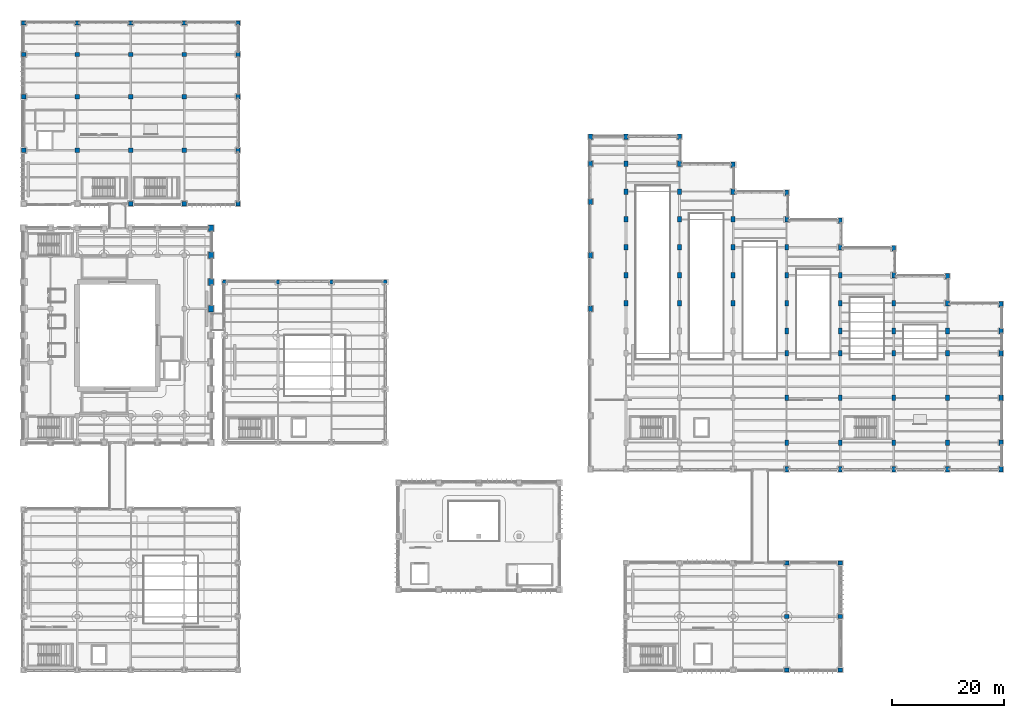
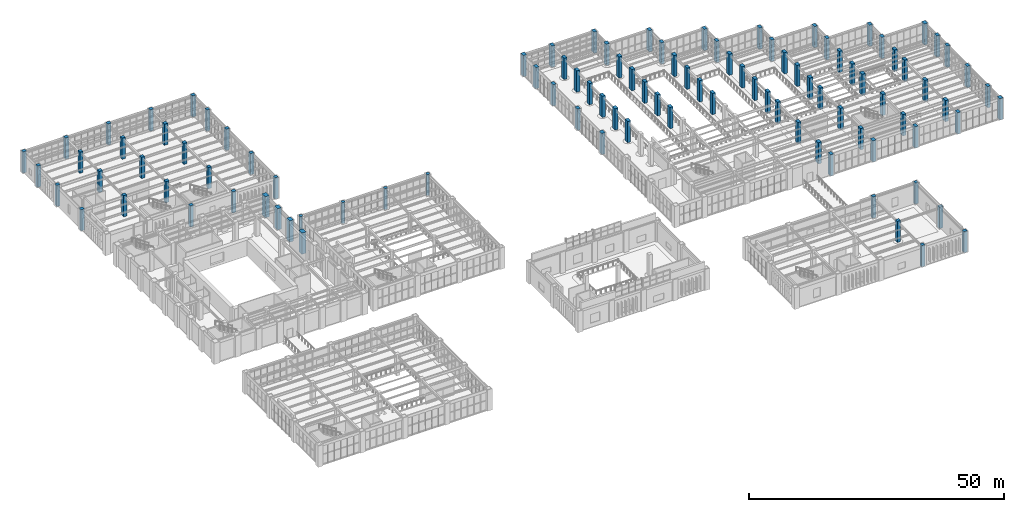
# One storey, part 3 of 174: 102 columns.
"""IFC4 building model written with IfcOpenShell, lengths in metres."""

from ifc_helpers import new_model, si_unit, direction, frame, origin, origin_2d, place, context, subcontext, project, spatial, rectangle, circle, extrude, material, material_profile, profile_set, type_object, element, save


model = new_model("IFC4")

# Units and contexts
model_context = context("Model", 3, precision=1e-05, world=origin(), true_north=direction((0.0, 1.0)))
body_context = subcontext(model_context, "Body", "Model", "MODEL_VIEW")
ifc_project = project(units=[si_unit("LENGTHUNIT", "METRE"), si_unit("AREAUNIT", "SQUARE_METRE"), si_unit("VOLUMEUNIT", "CUBIC_METRE"), si_unit("PLANEANGLEUNIT", "RADIAN"), si_unit("MASSUNIT", "GRAM", prefix="KILO")], contexts=[model_context])

# Site, building, storey
site_placement = place(None, origin())
site = spatial("IfcSite", under=ifc_project, at=site_placement, CompositionType="ELEMENT")
building_placement = place(site_placement, origin())
building = spatial("IfcBuilding", under=site, at=building_placement, Name="Mavantir Sound Aquarium", CompositionType="ELEMENT")
storey_placement = place(building_placement, frame((0.0, 0.0, 5.39990234375)))
storey = spatial("IfcBuildingStorey", under=building, at=storey_placement, Name="L01", CompositionType="ELEMENT", Elevation=5.39990234375)

# Columns
ifc_material = material(Name="Concrete C40/50", Category="concrete")
ifc_material_profile_1 = material_profile(ifc_material, rectangle(XDim=0.699951171875, YDim=1.0, at=origin_2d()), Name="RC 700X1000")
ifc_profile_set_1 = profile_set([ifc_material_profile_1], Name="Concrete C40/50")
column_type_1 = type_object("IfcColumnType", Name="COL-RC700X1000-E", PredefinedType="COLUMN", material=ifc_profile_set_1)
for number, where, z_axis, x_axis, name in (
    (1, (175.199951171875, 36.0, 0.0), (0.0, 0.0, 1.0), (1.0, 0.0, 0.0), "L01 column RC-C710 (V4)"),
    (2, (175.199951171875, 40.800048828125, 0.0), (0.0, 0.0, 1.0), (1.0, 0.0, 0.0), "L01 column RC-C710 (V4)"),
    (3, (175.199951171875, 48.800048828125, 0.0), (0.0, 0.0, 1.0), (1.0, 0.0, 0.0), "L01 column RC-C710 (V4)"),
    (4, (175.199951171875, 56.800048828125, 0.0), (0.0, 0.0, 1.0), (1.0, 0.0, 0.0), "L01 column RC-C710 (V4)"),
    (5, (175.199951171875, 60.800048828125, 0.0), (0.0, 0.0, 1.0), (1.0, 0.0, 0.0), "L01 column RC-C710 (V4)"),
    (6, (175.199951171875, 65.60009765625, 0.0), (0.0, 0.0, 1.0), (1.0, 0.0, 0.0), "L01 column RC-C710 (V4)"),
):
    element("IfcColumn", number, at=place(storey_placement, frame(where, z_axis=z_axis, x_axis=x_axis)), inside=storey, type_object=column_type_1, Name=name, PredefinedType="COLUMN", context=body_context, shape_type="SweptSolid", body=[
        extrude(rectangle(XDim=0.699951171875, YDim=1.0, at=origin_2d()), origin(), (0.0, 0.0, 1.0), 5.10009765625),
    ])
ifc_material_profile_2 = material_profile(ifc_material, rectangle(XDim=0.699951171875, YDim=1.0, at=origin_2d()), Name="RC 700X1000")
ifc_profile_set_2 = profile_set([ifc_material_profile_2], Name="Concrete C40/50")
column_type_2 = type_object("IfcColumnType", Name="COL-RC700X1000-I", PredefinedType="COLUMN", material=ifc_profile_set_2)
for number, where, z_axis, x_axis, name in (
    (7, (101.60009765625, 64.800048828125, 0.0), (0.0, 0.0, 1.0), (1.0, 0.0, 0.0), "L01 column RC-C710 (V4)"),
    (8, (101.60009765625, 74.39990234375, 0.0), (0.0, 0.0, 1.0), (1.0, 0.0, 0.0), "L01 column RC-C710 (V4)"),
    (9, (101.60009765625, 84.0, 0.0), (0.0, 0.0, 1.0), (1.0, 0.0, 0.0), "L01 column RC-C710 (V4)"),
    (10, (101.60009765625, 90.800048828125, 0.0), (0.0, 0.0, 1.0), (1.0, 0.0, 0.0), "L01 column RC-C710 (V4)"),
    (11, (101.60009765625, 95.60009765625, 0.0), (0.0, 0.0, 1.0), (1.0, 0.0, 0.0), "L01 column RC-C710 (V4)"),
    (12, (108.0, 65.800048828125, 0.0), (0.0, 0.0, 1.0), (1.0, 0.0, 0.0), "L01 column RC-C710 (V4)"),
    (13, (108.0, 70.800048828125, 0.0), (0.0, 0.0, 1.0), (1.0, 0.0, 0.0), "L01 column RC-C710 (V4)"),
    (14, (108.0, 75.800048828125, 0.0), (0.0, 0.0, 1.0), (1.0, 0.0, 0.0), "L01 column RC-C710 (V4)"),
    (15, (108.0, 80.800048828125, 0.0), (0.0, 0.0, 1.0), (1.0, 0.0, 0.0), "L01 column RC-C710 (V4)"),
    (16, (108.0, 85.800048828125, 0.0), (0.0, 0.0, 1.0), (1.0, 0.0, 0.0), "L01 column RC-C710 (V4)"),
    (17, (108.0, 90.800048828125, 0.0), (0.0, 0.0, 1.0), (1.0, 0.0, 0.0), "L01 column RC-C710 (V4)"),
    (18, (108.0, 95.60009765625, 0.0), (0.0, 0.0, 1.0), (1.0, 0.0, 0.0), "L01 column RC-C710 (V4)"),
    (19, (117.60009765625, 65.800048828125, 0.0), (0.0, 0.0, 1.0), (1.0, 0.0, 0.0), "L01 column RC-C710 (V4)"),
    (20, (117.60009765625, 70.800048828125, 0.0), (0.0, 0.0, 1.0), (1.0, 0.0, 0.0), "L01 column RC-C710 (V4)"),
    (21, (117.60009765625, 75.800048828125, 0.0), (0.0, 0.0, 1.0), (1.0, 0.0, 0.0), "L01 column RC-C710 (V4)"),
    (22, (117.60009765625, 80.800048828125, 0.0), (0.0, 0.0, 1.0), (1.0, 0.0, 0.0), "L01 column RC-C710 (V4)"),
    (23, (117.60009765625, 85.800048828125, 0.0), (0.0, 0.0, 1.0), (1.0, 0.0, 0.0), "L01 column RC-C710 (V4)"),
    (24, (117.60009765625, 90.800048828125, 0.0), (0.0, 0.0, 1.0), (1.0, 0.0, 0.0), "L01 column RC-C710 (V4)"),
    (25, (117.60009765625, 95.60009765625, 0.0), (0.0, 0.0, 1.0), (1.0, 0.0, 0.0), "L01 column RC-C710 (V4)"),
    (26, (127.199951171875, 65.800048828125, 0.0), (0.0, 0.0, 1.0), (1.0, 0.0, 0.0), "L01 column RC-C710 (V4)"),
    (27, (127.199951171875, 70.800048828125, 0.0), (0.0, 0.0, 1.0), (1.0, 0.0, 0.0), "L01 column RC-C710 (V4)"),
    (28, (127.199951171875, 75.800048828125, 0.0), (0.0, 0.0, 1.0), (1.0, 0.0, 0.0), "L01 column RC-C710 (V4)"),
    (29, (127.199951171875, 80.800048828125, 0.0), (0.0, 0.0, 1.0), (1.0, 0.0, 0.0), "L01 column RC-C710 (V4)"),
    (30, (127.199951171875, 85.800048828125, 0.0), (0.0, 0.0, 1.0), (1.0, 0.0, 0.0), "L01 column RC-C710 (V4)"),
    (31, (127.199951171875, 90.60009765625, 0.0), (0.0, 0.0, 1.0), (1.0, 0.0, 0.0), "L01 column RC-C710 (V4)"),
    (32, (136.800048828125, 36.0, 0.0), (0.0, 0.0, 1.0), (1.0, 0.0, 0.0), "L01 column RC-C710 (V4)"),
    (33, (136.800048828125, 40.800048828125, 0.0), (0.0, 0.0, 1.0), (1.0, 0.0, 0.0), "L01 column RC-C710 (V4)"),
    (34, (136.800048828125, 48.800048828125, 0.0), (0.0, 0.0, 1.0), (1.0, 0.0, 0.0), "L01 column RC-C710 (V4)"),
    (35, (136.800048828125, 56.800048828125, 0.0), (0.0, 0.0, 1.0), (1.0, 0.0, 0.0), "L01 column RC-C710 (V4)"),
    (36, (136.800048828125, 60.800048828125, 0.0), (0.0, 0.0, 1.0), (1.0, 0.0, 0.0), "L01 column RC-C710 (V4)"),
    (37, (136.800048828125, 65.800048828125, 0.0), (0.0, 0.0, 1.0), (1.0, 0.0, 0.0), "L01 column RC-C710 (V4)"),
    (38, (136.800048828125, 70.800048828125, 0.0), (0.0, 0.0, 1.0), (1.0, 0.0, 0.0), "L01 column RC-C710 (V4)"),
    (39, (136.800048828125, 75.800048828125, 0.0), (0.0, 0.0, 1.0), (1.0, 0.0, 0.0), "L01 column RC-C710 (V4)"),
    (40, (136.800048828125, 80.800048828125, 0.0), (0.0, 0.0, 1.0), (1.0, 0.0, 0.0), "L01 column RC-C710 (V4)"),
    (41, (136.800048828125, 85.60009765625, 0.0), (0.0, 0.0, 1.0), (1.0, 0.0, 0.0), "L01 column RC-C710 (V4)"),
    (42, (146.39990234375, 36.0, 0.0), (0.0, 0.0, 1.0), (1.0, 0.0, 0.0), "L01 column RC-C710 (V4)"),
    (43, (146.39990234375, 40.800048828125, 0.0), (0.0, 0.0, 1.0), (1.0, 0.0, 0.0), "L01 column RC-C710 (V4)"),
    (44, (146.39990234375, 48.800048828125, 0.0), (0.0, 0.0, 1.0), (1.0, 0.0, 0.0), "L01 column RC-C710 (V4)"),
    (45, (146.39990234375, 56.800048828125, 0.0), (0.0, 0.0, 1.0), (1.0, 0.0, 0.0), "L01 column RC-C710 (V4)"),
    (46, (146.39990234375, 60.800048828125, 0.0), (0.0, 0.0, 1.0), (1.0, 0.0, 0.0), "L01 column RC-C710 (V4)"),
    (47, (146.39990234375, 65.800048828125, 0.0), (0.0, 0.0, 1.0), (1.0, 0.0, 0.0), "L01 column RC-C710 (V4)"),
    (48, (146.39990234375, 70.800048828125, 0.0), (0.0, 0.0, 1.0), (1.0, 0.0, 0.0), "L01 column RC-C710 (V4)"),
    (49, (146.39990234375, 75.800048828125, 0.0), (0.0, 0.0, 1.0), (1.0, 0.0, 0.0), "L01 column RC-C710 (V4)"),
    (50, (146.39990234375, 80.60009765625, 0.0), (0.0, 0.0, 1.0), (1.0, 0.0, 0.0), "L01 column RC-C710 (V4)"),
    (51, (156.0, 36.0, 0.0), (0.0, 0.0, 1.0), (1.0, 0.0, 0.0), "L01 column RC-C710 (V4)"),
    (52, (156.0, 40.800048828125, 0.0), (0.0, 0.0, 1.0), (1.0, 0.0, 0.0), "L01 column RC-C710 (V4)"),
    (53, (156.0, 48.800048828125, 0.0), (0.0, 0.0, 1.0), (1.0, 0.0, 0.0), "L01 column RC-C710 (V4)"),
    (54, (156.0, 56.800048828125, 0.0), (0.0, 0.0, 1.0), (1.0, 0.0, 0.0), "L01 column RC-C710 (V4)"),
    (55, (156.0, 60.800048828125, 0.0), (0.0, 0.0, 1.0), (1.0, 0.0, 0.0), "L01 column RC-C710 (V4)"),
    (56, (156.0, 65.800048828125, 0.0), (0.0, 0.0, 1.0), (1.0, 0.0, 0.0), "L01 column RC-C710 (V4)"),
    (57, (156.0, 70.800048828125, 0.0), (0.0, 0.0, 1.0), (1.0, 0.0, 0.0), "L01 column RC-C710 (V4)"),
    (58, (156.0, 75.60009765625, 0.0), (0.0, 0.0, 1.0), (1.0, 0.0, 0.0), "L01 column RC-C710 (V4)"),
    (59, (165.60009765625, 36.0, 0.0), (0.0, 0.0, 1.0), (1.0, 0.0, 0.0), "L01 column RC-C710 (V4)"),
    (60, (165.60009765625, 40.800048828125, 0.0), (0.0, 0.0, 1.0), (1.0, 0.0, 0.0), "L01 column RC-C710 (V4)"),
    (61, (165.60009765625, 48.800048828125, 0.0), (0.0, 0.0, 1.0), (1.0, 0.0, 0.0), "L01 column RC-C710 (V4)"),
    (62, (165.60009765625, 56.800048828125, 0.0), (0.0, 0.0, 1.0), (1.0, 0.0, 0.0), "L01 column RC-C710 (V4)"),
    (63, (165.60009765625, 60.800048828125, 0.0), (0.0, 0.0, 1.0), (1.0, 0.0, 0.0), "L01 column RC-C710 (V4)"),
    (64, (165.60009765625, 65.800048828125, 0.0), (0.0, 0.0, 1.0), (1.0, 0.0, 0.0), "L01 column RC-C710 (V4)"),
    (65, (165.60009765625, 70.60009765625, 0.0), (0.0, 0.0, 1.0), (1.0, 0.0, 0.0), "L01 column RC-C710 (V4)"),
):
    element("IfcColumn", number, at=place(storey_placement, frame(where, z_axis=z_axis, x_axis=x_axis)), inside=storey, type_object=column_type_2, Name=name, PredefinedType="COLUMN", context=body_context, shape_type="SweptSolid", body=[
        extrude(rectangle(XDim=0.699951171875, YDim=1.0, at=origin_2d()), origin(), (0.0, 0.0, 1.0), 5.10009765625),
    ])
ifc_material_profile_3 = material_profile(ifc_material, rectangle(XDim=0.75, YDim=0.75, at=origin_2d()), Name="RC 750X750")
ifc_profile_set_3 = profile_set([ifc_material_profile_3], Name="Concrete C40/50")
column_type_3 = type_object("IfcColumnType", Name="COL-RC750-E", PredefinedType="COLUMN", material=ifc_profile_set_3)
for number, where, z_axis, x_axis, name in (
    (66, (0.0, 93.199951171875, 0.0), (0.0, 0.0, 1.0), (1.0, 0.0, 0.0), "L01 column RC-C75 (V5)"),
    (67, (0.0, 102.800048828125, 0.0), (0.0, 0.0, 1.0), (1.0, 0.0, 0.0), "L01 column RC-C75 (V5)"),
    (68, (0.0, 110.39990234375, 0.0), (0.0, 0.0, 1.0), (1.0, 0.0, 0.0), "L01 column RC-C75 (V5)"),
    (69, (0.0, 116.0, 0.0), (0.0, 0.0, 1.0), (1.0, 0.0, 0.0), "L01 column RC-C75 (V5)"),
    (70, (9.60009765625, 116.0, 0.0), (0.0, 0.0, 1.0), (1.0, 0.0, 0.0), "L01 column RC-C75 (V5)"),
    (71, (19.199951171875, 116.0, 0.0), (0.0, 0.0, 1.0), (1.0, 0.0, 0.0), "L01 column RC-C75 (V5)"),
    (72, (28.800048828125, 116.0, 0.0), (0.0, 0.0, 1.0), (1.0, 0.0, 0.0), "L01 column RC-C75 (V5)"),
    (73, (38.39990234375, 116.0, 0.0), (0.0, 0.0, 1.0), (1.0, 0.0, 0.0), "L01 column RC-C75 (V5)"),
    (74, (136.800048828125, 0.0, 0.0), (0.0, 0.0, 1.0), (1.0, 0.0, 0.0), "L01 column RC-C75 (V6)"),
    (75, (146.39990234375, 0.0, 0.0), (0.0, 0.0, 1.0), (1.0, 0.0, 0.0), "L01 column RC-C75 (V6)"),
):
    element("IfcColumn", number, at=place(storey_placement, frame(where, z_axis=z_axis, x_axis=x_axis)), inside=storey, type_object=column_type_3, Name=name, PredefinedType="COLUMN", context=body_context, shape_type="SweptSolid", body=[
        extrude(rectangle(XDim=0.75, YDim=0.75, at=origin_2d()), origin(), (0.0, 0.0, 1.0), 5.10009765625),
    ])
ifc_material_profile_4 = material_profile(ifc_material, rectangle(XDim=0.75, YDim=0.75, at=origin_2d()), Name="RC 750X750")
ifc_profile_set_4 = profile_set([ifc_material_profile_4], Name="Concrete C40/50")
column_type_4 = type_object("IfcColumnType", Name="COL-RC750-I", PredefinedType="COLUMN", material=ifc_profile_set_4)
for number, where, z_axis, x_axis, name in (
    (76, (9.60009765625, 93.199951171875, 0.0), (0.0, 0.0, 1.0), (1.0, 0.0, 0.0), "L01 column RC-C75 (V5)"),
    (77, (9.60009765625, 102.800048828125, 0.0), (0.0, 0.0, 1.0), (1.0, 0.0, 0.0), "L01 column RC-C75 (V5)"),
    (78, (9.60009765625, 110.39990234375, 0.0), (0.0, 0.0, 1.0), (1.0, 0.0, 0.0), "L01 column RC-C75 (V5)"),
    (79, (19.199951171875, 83.60009765625, 0.0), (0.0, 0.0, 1.0), (1.0, 0.0, 0.0), "L01 column RC-C75 (V5)"),
    (80, (19.199951171875, 93.199951171875, 0.0), (0.0, 0.0, 1.0), (1.0, 0.0, 0.0), "L01 column RC-C75 (V5)"),
    (81, (19.199951171875, 102.800048828125, 0.0), (0.0, 0.0, 1.0), (1.0, 0.0, 0.0), "L01 column RC-C75 (V5)"),
    (82, (19.199951171875, 110.39990234375, 0.0), (0.0, 0.0, 1.0), (1.0, 0.0, 0.0), "L01 column RC-C75 (V5)"),
    (83, (28.800048828125, 83.60009765625, 0.0), (0.0, 0.0, 1.0), (1.0, 0.0, 0.0), "L01 column RC-C75 (V5)"),
    (84, (28.800048828125, 93.199951171875, 0.0), (0.0, 0.0, 1.0), (1.0, 0.0, 0.0), "L01 column RC-C75 (V5)"),
    (85, (28.800048828125, 102.800048828125, 0.0), (0.0, 0.0, 1.0), (1.0, 0.0, 0.0), "L01 column RC-C75 (V5)"),
    (86, (28.800048828125, 110.39990234375, 0.0), (0.0, 0.0, 1.0), (1.0, 0.0, 0.0), "L01 column RC-C75 (V5)"),
    (87, (38.39990234375, 83.60009765625, 0.0), (0.0, 0.0, 1.0), (1.0, 0.0, 0.0), "L01 column RC-C75 (V5)"),
    (88, (38.39990234375, 93.199951171875, 0.0), (0.0, 0.0, 1.0), (1.0, 0.0, 0.0), "L01 column RC-C75 (V5)"),
    (89, (38.39990234375, 102.800048828125, 0.0), (0.0, 0.0, 1.0), (1.0, 0.0, 0.0), "L01 column RC-C75 (V5)"),
    (90, (38.39990234375, 110.39990234375, 0.0), (0.0, 0.0, 1.0), (1.0, 0.0, 0.0), "L01 column RC-C75 (V5)"),
    (91, (136.800048828125, 9.60009765625, 0.0), (0.0, 0.0, 1.0), (1.0, 0.0, 0.0), "L01 column RC-C75 (V6)"),
    (92, (136.800048828125, 19.199951171875, 0.0), (0.0, 0.0, 1.0), (1.0, 0.0, 0.0), "L01 column RC-C75 (V6)"),
    (93, (146.39990234375, 9.60009765625, 0.0), (0.0, 0.0, 1.0), (1.0, 0.0, 0.0), "L01 column RC-C75 (V6)"),
    (94, (146.39990234375, 19.199951171875, 0.0), (0.0, 0.0, 1.0), (1.0, 0.0, 0.0), "L01 column RC-C75 (V6)"),
):
    element("IfcColumn", number, at=place(storey_placement, frame(where, z_axis=z_axis, x_axis=x_axis)), inside=storey, type_object=column_type_4, Name=name, PredefinedType="COLUMN", context=body_context, shape_type="SweptSolid", body=[
        extrude(rectangle(XDim=0.75, YDim=0.75, at=origin_2d()), origin(), (0.0, 0.0, 1.0), 5.10009765625),
    ])
ifc_material_profile_5 = material_profile(ifc_material, rectangle(XDim=0.89990234375, YDim=1.199951171875, at=origin_2d()), Name="RC 900X1200")
ifc_profile_set_5 = profile_set([ifc_material_profile_5], Name="Concrete C40/50")
column_type_5 = type_object("IfcColumnType", Name="COL-RC900X1200-I", PredefinedType="COLUMN", material=ifc_profile_set_5)
for number, where, z_axis, x_axis, name in (
    (95, (33.60009765625, 64.800048828125, 0.0), (0.0, 0.0, 1.0), (1.0, 0.0, 0.0), "L01 column RC-C912 (V1)"),
    (96, (33.60009765625, 69.60009765625, 0.0), (0.0, 0.0, 1.0), (1.0, 0.0, 0.0), "L01 column RC-C912 (V1)"),
    (97, (33.60009765625, 74.39990234375, 0.0), (0.0, 0.0, 1.0), (1.0, 0.0, 0.0), "L01 column RC-C912 (V1)"),
    (98, (33.60009765625, 79.199951171875, 0.0), (0.0, 0.0, 1.0), (1.0, 0.0, 0.0), "L01 column RC-C912 (V1)"),
):
    element("IfcColumn", number, at=place(storey_placement, frame(where, z_axis=z_axis, x_axis=x_axis)), inside=storey, type_object=column_type_5, Name=name, PredefinedType="COLUMN", context=body_context, shape_type="SweptSolid", body=[
        extrude(rectangle(XDim=0.89990234375, YDim=1.199951171875, at=origin_2d()), origin(), (0.0, 0.0, 1.0), 5.10009765625),
    ])
ifc_material_profile_6 = material_profile(ifc_material, circle(Radius=0.375, at=origin_2d()), Name="RC D750")
ifc_profile_set_6 = profile_set([ifc_material_profile_6], Name="Concrete C40/50")
column_type_6 = type_object("IfcColumnType", Name="COL-RCD750-I", PredefinedType="COLUMN", material=ifc_profile_set_6)
for number, where, z_axis, x_axis, name in (
    (99, (36.0, 69.60009765625, 0.0), (0.0, 0.0, 1.0), (1.0, 0.0, 0.0), "L01 column RC-CD75 (V2)"),
    (100, (45.60009765625, 69.60009765625, 0.0), (0.0, 0.0, 1.0), (1.0, 0.0, 0.0), "L01 column RC-CD75 (V2)"),
    (101, (55.199951171875, 69.60009765625, 0.0), (0.0, 0.0, 1.0), (1.0, 0.0, 0.0), "L01 column RC-CD75 (V2)"),
    (102, (64.800048828125, 69.60009765625, 0.0), (0.0, 0.0, 1.0), (1.0, 0.0, 0.0), "L01 column RC-CD75 (V2)"),
):
    element("IfcColumn", number, at=place(storey_placement, frame(where, z_axis=z_axis, x_axis=x_axis)), inside=storey, type_object=column_type_6, Name=name, PredefinedType="COLUMN", context=body_context, shape_type="SweptSolid", body=[
        extrude(circle(Radius=0.375, at=origin_2d()), origin(), (0.0, 0.0, 1.0), 5.10009765625),
    ])

save(model, "model.ifc")
